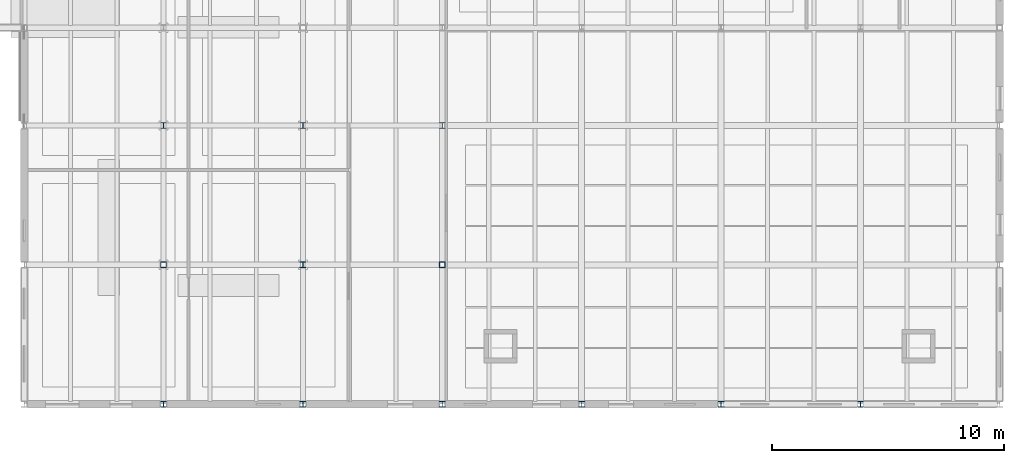
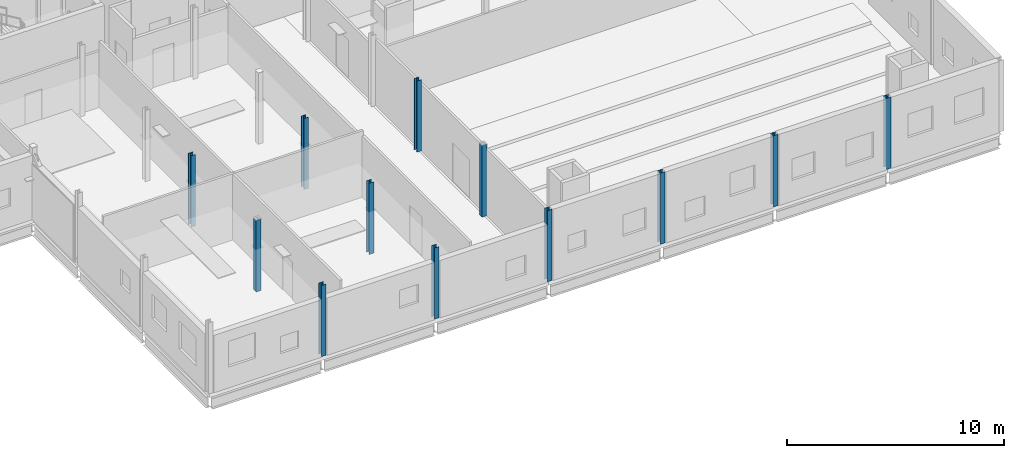
# One storey, part 12 of 92: 12 columns.
"""IFC4 building model written with IfcOpenShell, lengths in metres."""

from ifc_helpers import new_model, si_unit, direction, frame, origin, origin_2d, place, context, subcontext, project, spatial, hollow_rectangle, i_section, extrude, material, material_profile, profile_set, type_object, element, save


model = new_model("IFC4")

# Units and contexts
model_context = context("Model", 3, precision=1e-05, world=origin(), true_north=direction((0.0, 1.0)))
body_context = subcontext(model_context, "Body", "Model", "MODEL_VIEW")
ifc_project = project(units=[si_unit("LENGTHUNIT", "METRE"), si_unit("AREAUNIT", "SQUARE_METRE"), si_unit("VOLUMEUNIT", "CUBIC_METRE"), si_unit("PLANEANGLEUNIT", "RADIAN"), si_unit("MASSUNIT", "GRAM", prefix="KILO")], contexts=[model_context])

# Site, building, storey
site_placement = place(None, origin())
site = spatial("IfcSite", under=ifc_project, at=site_placement, CompositionType="ELEMENT")
building_placement = place(site_placement, origin())
building = spatial("IfcBuilding", under=site, at=building_placement, Name="Siltcreek Boulevard Central Fire Station", CompositionType="ELEMENT")
storey_placement = place(building_placement, frame((0.0, 0.0, 6.0)))
storey = spatial("IfcBuildingStorey", under=building, at=storey_placement, Name="L02", CompositionType="ELEMENT", Elevation=6.0)

# Columns
ifc_material_1 = material(Name="Structural steel ASTM A500 GrC", Category="steel")
ifc_material_profile_1 = material_profile(ifc_material_1, hollow_rectangle(XDim=0.25, YDim=0.25, WallThickness=0.012451171875, at=origin_2d()), Name="HSS250X250X12.5")
ifc_profile_set_1 = profile_set([ifc_material_profile_1], Name="Structural steel ASTM A500 GrC")
column_type_1 = type_object("IfcColumnType", Name="COL_HSS250", PredefinedType="COLUMN", material=ifc_profile_set_1)
for number, where, z_axis, x_axis, name in (
    (1, (130.199951171875, 7.800048828125, 0.0), (0.0, 0.0, 1.0), (1.0, 0.0, 0.0), "L02 structural column COLG-L02-1302-78"),
    (2, (142.199951171875, 7.800048828125, 0.0), (0.0, 0.0, 1.0), (1.0, 0.0, 0.0), "L02 structural column COLG-L02-1422-78"),
):
    element("IfcColumn", number, at=place(storey_placement, frame(where, z_axis=z_axis, x_axis=x_axis)), inside=storey, type_object=column_type_1, Name=name, PredefinedType="COLUMN", context=body_context, shape_type="SweptSolid", body=[
        extrude(hollow_rectangle(XDim=0.25, YDim=0.25, WallThickness=0.012451171875, at=origin_2d()), origin(), (0.0, 0.0, 1.0), 4.0),
    ])
ifc_material_2 = material(Name="Structural steel ASTM A992 Gr50", Category="steel")
ifc_material_profile_2 = material_profile(ifc_material_2, i_section(OverallWidth=0.25390625, OverallDepth=0.2529296875, WebThickness=0.008544921875, FlangeThickness=0.01416015625, at=origin_2d()), Name="W250X73")
ifc_profile_set_2 = profile_set([ifc_material_profile_2], Name="Structural steel ASTM A992 Gr50")
column_type_2 = type_object("IfcColumnType", Name="COL_W250X73", PredefinedType="COLUMN", material=ifc_profile_set_2)
for number, where, z_axis, x_axis, name in (
    (3, (130.199951171875, 1.800048828125, 0.0), (0.0, 0.0, 1.0), (1.0, 0.0, 0.0), "L02 structural column COLG-L02-1302-18"),
    (4, (130.199951171875, 13.800048828125, 0.0), (0.0, 0.0, 1.0), (1.0, 0.0, 0.0), "L02 structural column COLG-L02-1302-138"),
    (5, (136.199951171875, 1.800048828125, 0.0), (0.0, 0.0, 1.0), (1.0, 0.0, 0.0), "L02 structural column COLG-L02-1362-18"),
    (6, (136.199951171875, 7.800048828125, 0.0), (0.0, 0.0, 1.0), (1.0, 0.0, 0.0), "L02 structural column COLG-L02-1362-78"),
    (7, (136.199951171875, 13.800048828125, 0.0), (0.0, 0.0, 1.0), (1.0, 0.0, 0.0), "L02 structural column COLG-L02-1362-138"),
    (8, (142.199951171875, 1.800048828125, 0.0), (0.0, 0.0, 1.0), (1.0, 0.0, 0.0), "L02 structural column COLG-L02-1422-18"),
    (9, (142.199951171875, 13.800048828125, 0.0), (0.0, 0.0, 1.0), (1.0, 0.0, 0.0), "L02 structural column COLG-L02-1422-138"),
    (10, (148.199951171875, 1.800048828125, 0.0), (0.0, 0.0, 1.0), (1.0, 0.0, 0.0), "L02 structural column COLG-L02-1482-18"),
    (11, (154.199951171875, 1.800048828125, 0.0), (0.0, 0.0, 1.0), (1.0, 0.0, 0.0), "L02 structural column COLG-L02-1542-18"),
    (12, (160.199951171875, 1.800048828125, 0.0), (0.0, 0.0, 1.0), (1.0, 0.0, 0.0), "L02 structural column COLG-L02-1602-18"),
):
    element("IfcColumn", number, at=place(storey_placement, frame(where, z_axis=z_axis, x_axis=x_axis)), inside=storey, type_object=column_type_2, Name=name, PredefinedType="COLUMN", context=body_context, shape_type="SweptSolid", body=[
        extrude(i_section(OverallWidth=0.25390625, OverallDepth=0.2529296875, WebThickness=0.008544921875, FlangeThickness=0.01416015625, at=origin_2d()), origin(), (0.0, 0.0, 1.0), 4.0),
    ])

save(model, "model.ifc")
